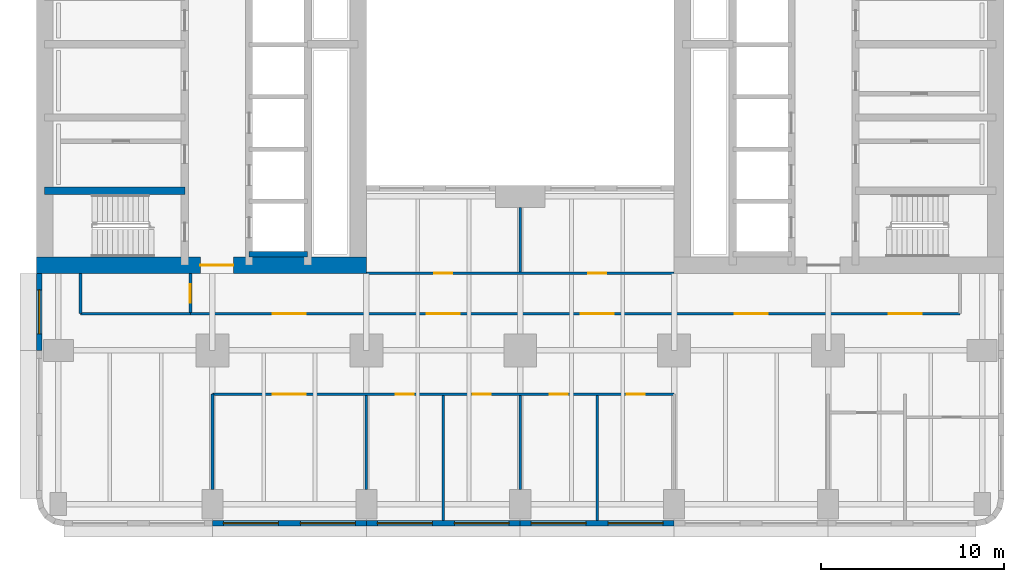
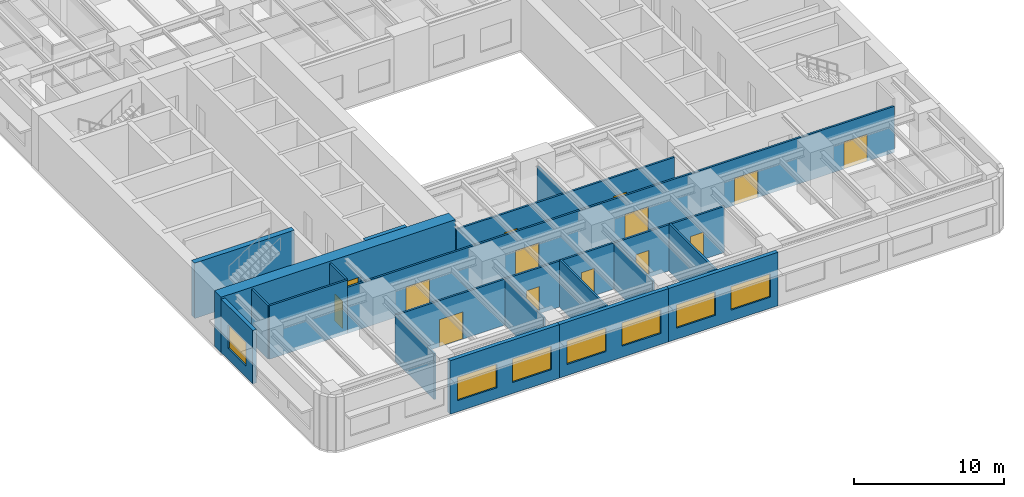
# One storey, part 3 of 14: 19 walls, 14 doors, 7 windows, 21 openings.
"""IFC4 building model written with IfcOpenShell, lengths in metres."""

from ifc_helpers import new_model, si_unit, direction, frame, frame_2d, origin, place, context, subcontext, project, spatial, rectangle, extrude, material, layer, layer_set, type_object, element, fill, save


model = new_model("IFC4")

# Units and contexts
model_context = context("Model", 3, precision=1e-05, world=origin(), true_north=direction((0.0, 1.0)))
body_context = subcontext(model_context, "Body", "Model", "MODEL_VIEW")
ifc_project = project(units=[si_unit("LENGTHUNIT", "METRE"), si_unit("AREAUNIT", "SQUARE_METRE"), si_unit("VOLUMEUNIT", "CUBIC_METRE"), si_unit("PLANEANGLEUNIT", "RADIAN"), si_unit("MASSUNIT", "GRAM", prefix="KILO")], contexts=[model_context])

# Site, building, storey
site_placement = place(None, origin())
site = spatial("IfcSite", under=ifc_project, at=site_placement, CompositionType="ELEMENT")
building_placement = place(site_placement, origin())
building = spatial("IfcBuilding", under=site, at=building_placement, Name="Claustro Exchange Tower", CompositionType="ELEMENT")
storey_placement = place(building_placement, frame((0.0, 0.0, 54.89990234375)))
storey = spatial("IfcBuildingStorey", under=building, at=storey_placement, Name="L12", CompositionType="ELEMENT", Elevation=54.89990234375)

# Wall, openings, doors
ifc_material_1 = material(Name="Gypsum board on steel studs", Category="steel")
ifc_layer_1 = layer(ifc_material_1, 0.14990234375)
ifc_layer_set_1 = layer_set([ifc_layer_1], Name="Gypsum board on steel studs")
wall_type_1 = type_object("IfcWallType", Name="P1 150 plasterboard partition", PredefinedType="PARTITIONING", material=ifc_layer_set_1)
wall_1_placement = place(storey_placement, frame((8.39990234375, 6.0, 0.0), z_axis=(0.0, 0.0, 1.0), x_axis=(1.0, 0.0, 0.0)))
wall_1 = element("IfcWall", 1, at=wall_1_placement, inside=storey, type_object=wall_type_1, Name="Partition P1 L12", PredefinedType="PARTITIONING", context=body_context, shape_type="SweptSolid", body=[
    extrude(rectangle(XDim=25.2001953125, YDim=0.14990234375, at=frame_2d((12.60009765625, 0.0))), origin(), (0.0, 0.0, 1.0), 3.739990234375),
])
opening_1_placement = place(wall_1_placement, frame((3.300048828125, 0.0, 0.0)))
opening_1 = element("IfcOpeningElement", 2, at=opening_1_placement, cuts=wall_1, Name="Opening D2", PredefinedType="OPENING", context=body_context, shape_type="SweptSolid", body=[
    extrude(rectangle(XDim=1.800048828125, YDim=2.199951171875, at=frame_2d((0.89990234375, 1.10009765625))), frame((0.0, 0.0849609375, 0.0), z_axis=(0.0, -1.0, 0.0), x_axis=(1.0, 0.0, 0.0)), (0.0, 0.0, 1.0), 0.169921875),
])
opening_2_placement = place(wall_1_placement, frame((10.0, 0.0, 0.0)))
opening_2 = element("IfcOpeningElement", 3, at=opening_2_placement, cuts=wall_1, Name="Opening D1", PredefinedType="OPENING", context=body_context, shape_type="SweptSolid", body=[
    extrude(rectangle(XDim=1.0, YDim=2.199951171875, at=frame_2d((0.5, 1.10009765625))), frame((0.0, 0.0849609375, 0.0), z_axis=(0.0, -1.0, 0.0), x_axis=(1.0, 0.0, 0.0)), (0.0, 0.0, 1.0), 0.169921875),
])
opening_3_placement = place(wall_1_placement, frame((14.199951171875, 0.0, 0.0)))
opening_3 = element("IfcOpeningElement", 4, at=opening_3_placement, cuts=wall_1, Name="Opening D1", PredefinedType="OPENING", context=body_context, shape_type="SweptSolid", body=[
    extrude(rectangle(XDim=1.0, YDim=2.199951171875, at=frame_2d((0.5, 1.10009765625))), frame((0.0, 0.0849609375, 0.0), z_axis=(0.0, -1.0, 0.0), x_axis=(1.0, 0.0, 0.0)), (0.0, 0.0, 1.0), 0.169921875),
])
opening_4_placement = place(wall_1_placement, frame((18.39990234375, 0.0, 0.0)))
opening_4 = element("IfcOpeningElement", 5, at=opening_4_placement, cuts=wall_1, Name="Opening D1", PredefinedType="OPENING", context=body_context, shape_type="SweptSolid", body=[
    extrude(rectangle(XDim=1.0, YDim=2.199951171875, at=frame_2d((0.5, 1.10009765625))), frame((0.0, 0.0849609375, 0.0), z_axis=(0.0, -1.0, 0.0), x_axis=(1.0, 0.0, 0.0)), (0.0, 0.0, 1.0), 0.169921875),
])
opening_5_placement = place(wall_1_placement, frame((22.60009765625, 0.0, 0.0)))
opening_5 = element("IfcOpeningElement", 6, at=opening_5_placement, cuts=wall_1, Name="Opening D1", PredefinedType="OPENING", context=body_context, shape_type="SweptSolid", body=[
    extrude(rectangle(XDim=1.0, YDim=2.199951171875, at=frame_2d((0.5, 1.10009765625))), frame((0.0, 0.0849609375, 0.0), z_axis=(0.0, -1.0, 0.0), x_axis=(1.0, 0.0, 0.0)), (0.0, 0.0, 1.0), 0.169921875),
])
ifc_material_2 = material(Name="Timber door, oak veneer", Category="wood")
door_type_1 = type_object("IfcDoorType", Name="D1 1000 x 2200 single door", OperationType="SINGLE_SWING_LEFT", PredefinedType="DOOR", material=ifc_material_2)
door_1_placement = place(opening_2_placement, frame((1.0, 0.0, 0.0), z_axis=(0.0, 0.0, 1.0), x_axis=(-1.0, 0.0, 0.0)))
door_1 = element("IfcDoor", 7, at=door_1_placement, inside=storey, type_object=door_type_1, Name="Door D1 L12", OperationType="SINGLE_SWING_RIGHT", OverallHeight=2.199951171875, OverallWidth=1.0, PredefinedType="DOOR", context=body_context, shape_type="SweptSolid", body=[
    extrude(rectangle(XDim=1.0, YDim=2.199951171875, at=frame_2d((0.5, 1.10009765625))), frame((0.0, 0.02490234375, 0.0), z_axis=(0.0, -1.0, 0.0), x_axis=(1.0, 0.0, 0.0)), (0.0, 0.0, 1.0), 0.050048828125),
])
fill(opening_2, door_1)
door_2_placement = place(opening_3_placement, frame((1.0, 0.0, 0.0), z_axis=(0.0, 0.0, 1.0), x_axis=(-1.0, 0.0, 0.0)))
door_2 = element("IfcDoor", 8, at=door_2_placement, inside=storey, type_object=door_type_1, Name="Door D1 L12", OperationType="SINGLE_SWING_LEFT", OverallHeight=2.199951171875, OverallWidth=1.0, PredefinedType="DOOR", context=body_context, shape_type="SweptSolid", body=[
    extrude(rectangle(XDim=1.0, YDim=2.199951171875, at=frame_2d((0.5, 1.10009765625))), frame((0.0, 0.02490234375, 0.0), z_axis=(0.0, -1.0, 0.0), x_axis=(1.0, 0.0, 0.0)), (0.0, 0.0, 1.0), 0.050048828125),
])
fill(opening_3, door_2)
door_3_placement = place(opening_4_placement, frame((1.0, 0.0, 0.0), z_axis=(0.0, 0.0, 1.0), x_axis=(-1.0, 0.0, 0.0)))
door_3 = element("IfcDoor", 9, at=door_3_placement, inside=storey, type_object=door_type_1, Name="Door D1 L12", OperationType="SINGLE_SWING_RIGHT", OverallHeight=2.199951171875, OverallWidth=1.0, PredefinedType="DOOR", context=body_context, shape_type="SweptSolid", body=[
    extrude(rectangle(XDim=1.0, YDim=2.199951171875, at=frame_2d((0.5, 1.10009765625))), frame((0.0, 0.02490234375, 0.0), z_axis=(0.0, -1.0, 0.0), x_axis=(1.0, 0.0, 0.0)), (0.0, 0.0, 1.0), 0.050048828125),
])
fill(opening_4, door_3)
door_4_placement = place(opening_5_placement, frame((1.0, 0.0, 0.0), z_axis=(0.0, 0.0, 1.0), x_axis=(-1.0, 0.0, 0.0)))
door_4 = element("IfcDoor", 10, at=door_4_placement, inside=storey, type_object=door_type_1, Name="Door D1 L12", OperationType="SINGLE_SWING_RIGHT", OverallHeight=2.199951171875, OverallWidth=1.0, PredefinedType="DOOR", context=body_context, shape_type="SweptSolid", body=[
    extrude(rectangle(XDim=1.0, YDim=2.199951171875, at=frame_2d((0.5, 1.10009765625))), frame((0.0, 0.02490234375, 0.0), z_axis=(0.0, -1.0, 0.0), x_axis=(1.0, 0.0, 0.0)), (0.0, 0.0, 1.0), 0.050048828125),
])
fill(opening_5, door_4)
ifc_material_3 = material(Name="Timber door, oak veneer", Category="wood")
door_type_2 = type_object("IfcDoorType", Name="D2 1800 x 2200 double door", OperationType="DOUBLE_DOOR_SINGLE_SWING", PredefinedType="DOOR", material=ifc_material_3)
door_5_placement = place(opening_1_placement, frame((1.800048828125, 0.0, 0.0), z_axis=(0.0, 0.0, 1.0), x_axis=(-1.0, 0.0, 0.0)))
door_5 = element("IfcDoor", 11, at=door_5_placement, inside=storey, type_object=door_type_2, Name="Double door D2 L12", OperationType="DOUBLE_DOOR_SINGLE_SWING", OverallHeight=2.199951171875, OverallWidth=1.800048828125, PredefinedType="DOOR", context=body_context, shape_type="SweptSolid", body=[
    extrude(rectangle(XDim=1.800048828125, YDim=2.199951171875, at=frame_2d((0.89990234375, 1.10009765625))), frame((0.0, 0.02490234375, 0.0), z_axis=(0.0, -1.0, 0.0), x_axis=(1.0, 0.0, 0.0)), (0.0, 0.0, 1.0), 0.050048828125),
])
fill(opening_1, door_5)

# Walls
wall_2_placement = place(storey_placement, frame((8.39990234375, 0.799072265625, 0.0), z_axis=(0.0, 0.0, 1.0), x_axis=(0.0, 1.0, 0.0)))
element("IfcWall", 12, at=wall_2_placement, inside=storey, type_object=wall_type_1, Name="Partition P1 L12", PredefinedType="PARTITIONING", context=body_context, shape_type="SweptSolid", body=[
    extrude(rectangle(XDim=5.200927734375, YDim=0.14990234375, at=frame_2d((2.6005859375, 0.0))), origin(), (0.0, 0.0, 1.0), 3.739990234375),
])
wall_3_placement = place(storey_placement, frame((16.800048828125, 0.799072265625, 0.0), z_axis=(0.0, 0.0, 1.0), x_axis=(0.0, 1.0, 0.0)))
element("IfcWall", 13, at=wall_3_placement, inside=storey, type_object=wall_type_1, Name="Partition P1 L12", PredefinedType="PARTITIONING", context=body_context, shape_type="SweptSolid", body=[
    extrude(rectangle(XDim=5.126953125, YDim=0.14990234375, at=frame_2d((2.5634765625, 0.0))), origin(), (0.0, 0.0, 1.0), 3.739990234375),
])
wall_4_placement = place(storey_placement, frame((21.0, -0.902099609375, 0.0), z_axis=(0.0, 0.0, 1.0), x_axis=(0.0, 1.0, 0.0)))
element("IfcWall", 14, at=wall_4_placement, inside=storey, type_object=wall_type_1, Name="Partition P1 L12", PredefinedType="PARTITIONING", context=body_context, shape_type="SweptSolid", body=[
    extrude(rectangle(XDim=6.828125, YDim=0.14990234375, at=frame_2d((3.4140625, 0.0))), origin(), (0.0, 0.0, 1.0), 3.840087890625),
])
wall_5_placement = place(storey_placement, frame((25.199951171875, 0.799072265625, 0.0), z_axis=(0.0, 0.0, 1.0), x_axis=(0.0, 1.0, 0.0)))
element("IfcWall", 15, at=wall_5_placement, inside=storey, type_object=wall_type_1, Name="Partition P1 L12", PredefinedType="PARTITIONING", context=body_context, shape_type="SweptSolid", body=[
    extrude(rectangle(XDim=5.126953125, YDim=0.14990234375, at=frame_2d((2.5634765625, 0.0))), origin(), (0.0, 0.0, 1.0), 3.739990234375),
])
wall_6_placement = place(storey_placement, frame((29.39990234375, -0.902099609375, 0.0), z_axis=(0.0, 0.0, 1.0), x_axis=(0.0, 1.0, 0.0)))
element("IfcWall", 16, at=wall_6_placement, inside=storey, type_object=wall_type_1, Name="Partition P1 L12", PredefinedType="PARTITIONING", context=body_context, shape_type="SweptSolid", body=[
    extrude(rectangle(XDim=6.828125, YDim=0.14990234375, at=frame_2d((3.4140625, 0.0))), origin(), (0.0, 0.0, 1.0), 3.840087890625),
])

# Wall, openings, doors
wall_7_placement = place(storey_placement, frame((7.197998046875, 10.39990234375, 0.0), z_axis=(0.0, 0.0, 1.0), x_axis=(1.0, 0.0, 0.0)))
wall_7 = element("IfcWall", 17, at=wall_7_placement, inside=storey, type_object=wall_type_1, Name="Partition P1 L12", PredefinedType="PARTITIONING", context=body_context, shape_type="SweptSolid", body=[
    extrude(rectangle(XDim=42.001953125, YDim=0.14990234375, at=frame_2d((21.0009765625, 0.0))), origin(), (0.0, 0.0, 1.0), 3.739990234375),
])
opening_6_placement = place(wall_7_placement, frame((4.501953125, 0.0, 0.0)))
opening_6 = element("IfcOpeningElement", 18, at=opening_6_placement, cuts=wall_7, Name="Opening D2", PredefinedType="OPENING", context=body_context, shape_type="SweptSolid", body=[
    extrude(rectangle(XDim=1.800048828125, YDim=2.199951171875, at=frame_2d((0.89990234375, 1.10009765625))), frame((0.0, 0.0849609375, 0.0), z_axis=(0.0, -1.0, 0.0), x_axis=(1.0, 0.0, 0.0)), (0.0, 0.0, 1.0), 0.169921875),
])
opening_7_placement = place(wall_7_placement, frame((12.902099609375, 0.0, 0.0)))
opening_7 = element("IfcOpeningElement", 19, at=opening_7_placement, cuts=wall_7, Name="Opening D2", PredefinedType="OPENING", context=body_context, shape_type="SweptSolid", body=[
    extrude(rectangle(XDim=1.800048828125, YDim=2.199951171875, at=frame_2d((0.89990234375, 1.10009765625))), frame((0.0, 0.0849609375, 0.0), z_axis=(0.0, -1.0, 0.0), x_axis=(1.0, 0.0, 0.0)), (0.0, 0.0, 1.0), 0.169921875),
])
opening_8_placement = place(wall_7_placement, frame((21.302001953125, 0.0, 0.0)))
opening_8 = element("IfcOpeningElement", 20, at=opening_8_placement, cuts=wall_7, Name="Opening D2", PredefinedType="OPENING", context=body_context, shape_type="SweptSolid", body=[
    extrude(rectangle(XDim=1.800048828125, YDim=2.199951171875, at=frame_2d((0.89990234375, 1.10009765625))), frame((0.0, 0.0849609375, 0.0), z_axis=(0.0, -1.0, 0.0), x_axis=(1.0, 0.0, 0.0)), (0.0, 0.0, 1.0), 0.169921875),
])
opening_9_placement = place(wall_7_placement, frame((29.701904296875, 0.0, 0.0)))
opening_9 = element("IfcOpeningElement", 21, at=opening_9_placement, cuts=wall_7, Name="Opening D2", PredefinedType="OPENING", context=body_context, shape_type="SweptSolid", body=[
    extrude(rectangle(XDim=1.800048828125, YDim=2.199951171875, at=frame_2d((0.89990234375, 1.10009765625))), frame((0.0, 0.0849609375, 0.0), z_axis=(0.0, -1.0, 0.0), x_axis=(1.0, 0.0, 0.0)), (0.0, 0.0, 1.0), 0.169921875),
])
opening_10_placement = place(wall_7_placement, frame((38.10205078125, 0.0, 0.0)))
opening_10 = element("IfcOpeningElement", 22, at=opening_10_placement, cuts=wall_7, Name="Opening D2", PredefinedType="OPENING", context=body_context, shape_type="SweptSolid", body=[
    extrude(rectangle(XDim=1.800048828125, YDim=2.199951171875, at=frame_2d((0.89990234375, 1.10009765625))), frame((0.0, 0.0849609375, 0.0), z_axis=(0.0, -1.0, 0.0), x_axis=(1.0, 0.0, 0.0)), (0.0, 0.0, 1.0), 0.169921875),
])
door_6_placement = place(opening_6_placement, frame((1.800048828125, 0.0, 0.0), z_axis=(0.0, 0.0, 1.0), x_axis=(-1.0, 0.0, 0.0)))
door_6 = element("IfcDoor", 23, at=door_6_placement, inside=storey, type_object=door_type_2, Name="Double door D2 L12", OperationType="DOUBLE_DOOR_SINGLE_SWING", OverallHeight=2.199951171875, OverallWidth=1.800048828125, PredefinedType="DOOR", context=body_context, shape_type="SweptSolid", body=[
    extrude(rectangle(XDim=1.800048828125, YDim=2.199951171875, at=frame_2d((0.89990234375, 1.10009765625))), frame((0.0, 0.02490234375, 0.0), z_axis=(0.0, -1.0, 0.0), x_axis=(1.0, 0.0, 0.0)), (0.0, 0.0, 1.0), 0.050048828125),
])
fill(opening_6, door_6)
door_7_placement = place(opening_7_placement, frame((1.800048828125, 0.0, 0.0), z_axis=(0.0, 0.0, 1.0), x_axis=(-1.0, 0.0, 0.0)))
door_7 = element("IfcDoor", 24, at=door_7_placement, inside=storey, type_object=door_type_2, Name="Double door D2 L12", OperationType="DOUBLE_DOOR_SINGLE_SWING", OverallHeight=2.199951171875, OverallWidth=1.800048828125, PredefinedType="DOOR", context=body_context, shape_type="SweptSolid", body=[
    extrude(rectangle(XDim=1.800048828125, YDim=2.199951171875, at=frame_2d((0.89990234375, 1.10009765625))), frame((0.0, 0.02490234375, 0.0), z_axis=(0.0, -1.0, 0.0), x_axis=(1.0, 0.0, 0.0)), (0.0, 0.0, 1.0), 0.050048828125),
])
fill(opening_7, door_7)
door_8_placement = place(opening_8_placement, frame((1.800048828125, 0.0, 0.0), z_axis=(0.0, 0.0, 1.0), x_axis=(-1.0, 0.0, 0.0)))
door_8 = element("IfcDoor", 25, at=door_8_placement, inside=storey, type_object=door_type_2, Name="Double door D2 L12", OperationType="DOUBLE_DOOR_SINGLE_SWING", OverallHeight=2.199951171875, OverallWidth=1.800048828125, PredefinedType="DOOR", context=body_context, shape_type="SweptSolid", body=[
    extrude(rectangle(XDim=1.800048828125, YDim=2.199951171875, at=frame_2d((0.89990234375, 1.10009765625))), frame((0.0, 0.02490234375, 0.0), z_axis=(0.0, -1.0, 0.0), x_axis=(1.0, 0.0, 0.0)), (0.0, 0.0, 1.0), 0.050048828125),
])
fill(opening_8, door_8)
door_9_placement = place(opening_9_placement, frame((1.800048828125, 0.0, 0.0), z_axis=(0.0, 0.0, 1.0), x_axis=(-1.0, 0.0, 0.0)))
door_9 = element("IfcDoor", 26, at=door_9_placement, inside=storey, type_object=door_type_2, Name="Double door D2 L12", OperationType="DOUBLE_DOOR_SINGLE_SWING", OverallHeight=2.199951171875, OverallWidth=1.800048828125, PredefinedType="DOOR", context=body_context, shape_type="SweptSolid", body=[
    extrude(rectangle(XDim=1.800048828125, YDim=2.199951171875, at=frame_2d((0.89990234375, 1.10009765625))), frame((0.0, 0.02490234375, 0.0), z_axis=(0.0, -1.0, 0.0), x_axis=(1.0, 0.0, 0.0)), (0.0, 0.0, 1.0), 0.050048828125),
])
fill(opening_9, door_9)
door_10_placement = place(opening_10_placement, frame((1.800048828125, 0.0, 0.0), z_axis=(0.0, 0.0, 1.0), x_axis=(-1.0, 0.0, 0.0)))
door_10 = element("IfcDoor", 27, at=door_10_placement, inside=storey, type_object=door_type_2, Name="Double door D2 L12", OperationType="DOUBLE_DOOR_SINGLE_SWING", OverallHeight=2.199951171875, OverallWidth=1.800048828125, PredefinedType="DOOR", context=body_context, shape_type="SweptSolid", body=[
    extrude(rectangle(XDim=1.800048828125, YDim=2.199951171875, at=frame_2d((0.89990234375, 1.10009765625))), frame((0.0, 0.02490234375, 0.0), z_axis=(0.0, -1.0, 0.0), x_axis=(1.0, 0.0, 0.0)), (0.0, 0.0, 1.0), 0.050048828125),
])
fill(opening_10, door_10)

# Wall, opening, door
wall_8_placement = place(storey_placement, frame((7.199951171875, 10.47412109375, 0.0), z_axis=(0.0, 0.0, 1.0), x_axis=(0.0, 1.0, 0.0)))
wall_8 = element("IfcWall", 28, at=wall_8_placement, inside=storey, type_object=wall_type_1, Name="Partition P1 L12", PredefinedType="PARTITIONING", context=body_context, shape_type="SweptSolid", body=[
    extrude(rectangle(XDim=2.1279296875, YDim=0.14990234375, at=frame_2d((1.06396484375, 0.0))), origin(), (0.0, 0.0, 1.0), 4.340087890625),
])
opening_11_placement = place(wall_8_placement, frame((0.52587890625, 0.0, 0.0)))
opening_11 = element("IfcOpeningElement", 29, at=opening_11_placement, cuts=wall_8, Name="Opening D1", PredefinedType="OPENING", context=body_context, shape_type="SweptSolid", body=[
    extrude(rectangle(XDim=1.0, YDim=2.199951171875, at=frame_2d((0.5, 1.10009765625))), frame((0.0, 0.0849609375, 0.0), z_axis=(0.0, -1.0, 0.0), x_axis=(1.0, 0.0, 0.0)), (0.0, 0.0, 1.0), 0.169921875),
])
door_11_placement = place(opening_11_placement, origin())
door_11 = element("IfcDoor", 30, at=door_11_placement, inside=storey, type_object=door_type_1, Name="Door D1 L12", OperationType="SINGLE_SWING_RIGHT", OverallHeight=2.199951171875, OverallWidth=1.0, PredefinedType="DOOR", context=body_context, shape_type="SweptSolid", body=[
    extrude(rectangle(XDim=1.0, YDim=2.199951171875, at=frame_2d((0.5, 1.10009765625))), frame((0.0, 0.02490234375, 0.0), z_axis=(0.0, -1.0, 0.0), x_axis=(1.0, 0.0, 0.0)), (0.0, 0.0, 1.0), 0.050048828125),
])
fill(opening_11, door_11)

# Walls
wall_9_placement = place(storey_placement, frame((1.199951171875, 10.39990234375, 0.0), z_axis=(0.0, 0.0, 1.0), x_axis=(1.0, 0.0, 0.0)))
element("IfcWall", 31, at=wall_9_placement, inside=storey, type_object=wall_type_1, Name="Partition P1 L12", PredefinedType="PARTITIONING", context=body_context, shape_type="SweptSolid", body=[
    extrude(rectangle(XDim=6.001953125, YDim=0.14990234375, at=frame_2d((3.0009765625, 0.0))), origin(), (0.0, 0.0, 1.0), 4.340087890625),
])
wall_10_placement = place(storey_placement, frame((1.199951171875, 10.39990234375, 0.0), z_axis=(0.0, 0.0, 1.0), x_axis=(0.0, 1.0, 0.0)))
element("IfcWall", 32, at=wall_10_placement, inside=storey, type_object=wall_type_1, Name="Partition P1 L12", PredefinedType="PARTITIONING", context=body_context, shape_type="SweptSolid", body=[
    extrude(rectangle(XDim=2.2021484375, YDim=0.14990234375, at=frame_2d((1.10107421875, 0.0))), origin(), (0.0, 0.0, 1.0), 4.340087890625),
])
wall_11_placement = place(storey_placement, frame((25.199951171875, 12.674072265625, 0.0), z_axis=(0.0, 0.0, 1.0), x_axis=(0.0, 1.0, 0.0)))
element("IfcWall", 33, at=wall_11_placement, inside=storey, type_object=wall_type_1, Name="Partition P1 L12", PredefinedType="PARTITIONING", context=body_context, shape_type="SweptSolid", body=[
    extrude(rectangle(XDim=3.52685546875, YDim=0.14990234375, at=frame_2d((1.763427734375, 0.0))), origin(), (0.0, 0.0, 1.0), 3.739990234375),
])

# Wall, openings, doors
wall_12_placement = place(storey_placement, frame((16.820068359375, 12.60009765625, 0.0), z_axis=(0.0, 0.0, 1.0), x_axis=(1.0, 0.0, 0.0)))
wall_12 = element("IfcWall", 34, at=wall_12_placement, inside=storey, type_object=wall_type_1, Name="Partition P1 L12", PredefinedType="PARTITIONING", context=body_context, shape_type="SweptSolid", body=[
    extrude(rectangle(XDim=16.760009765625, YDim=0.14990234375, at=frame_2d((8.3798828125, 0.0))), origin(), (0.0, 0.0, 1.0), 3.739990234375),
])
opening_12_placement = place(wall_12_placement, frame((3.679931640625, 0.0, 0.0)))
opening_12 = element("IfcOpeningElement", 35, at=opening_12_placement, cuts=wall_12, Name="Opening D1", PredefinedType="OPENING", context=body_context, shape_type="SweptSolid", body=[
    extrude(rectangle(XDim=1.0, YDim=2.199951171875, at=frame_2d((0.5, 1.10009765625))), frame((0.0, 0.0849609375, 0.0), z_axis=(0.0, -1.0, 0.0), x_axis=(1.0, 0.0, 0.0)), (0.0, 0.0, 1.0), 0.169921875),
])
opening_13_placement = place(wall_12_placement, frame((12.080078125, 0.0, 0.0)))
opening_13 = element("IfcOpeningElement", 36, at=opening_13_placement, cuts=wall_12, Name="Opening D1", PredefinedType="OPENING", context=body_context, shape_type="SweptSolid", body=[
    extrude(rectangle(XDim=1.0, YDim=2.199951171875, at=frame_2d((0.5, 1.10009765625))), frame((0.0, 0.0849609375, 0.0), z_axis=(0.0, -1.0, 0.0), x_axis=(1.0, 0.0, 0.0)), (0.0, 0.0, 1.0), 0.169921875),
])
door_12_placement = place(opening_12_placement, origin())
door_12 = element("IfcDoor", 37, at=door_12_placement, inside=storey, type_object=door_type_1, Name="Door D1 L12", OperationType="SINGLE_SWING_RIGHT", OverallHeight=2.199951171875, OverallWidth=1.0, PredefinedType="DOOR", context=body_context, shape_type="SweptSolid", body=[
    extrude(rectangle(XDim=1.0, YDim=2.199951171875, at=frame_2d((0.5, 1.10009765625))), frame((0.0, 0.02490234375, 0.0), z_axis=(0.0, -1.0, 0.0), x_axis=(1.0, 0.0, 0.0)), (0.0, 0.0, 1.0), 0.050048828125),
])
fill(opening_12, door_12)
door_13_placement = place(opening_13_placement, origin())
door_13 = element("IfcDoor", 38, at=door_13_placement, inside=storey, type_object=door_type_1, Name="Door D1 L12", OperationType="SINGLE_SWING_LEFT", OverallHeight=2.199951171875, OverallWidth=1.0, PredefinedType="DOOR", context=body_context, shape_type="SweptSolid", body=[
    extrude(rectangle(XDim=1.0, YDim=2.199951171875, at=frame_2d((0.5, 1.10009765625))), frame((0.0, 0.02490234375, 0.0), z_axis=(0.0, -1.0, 0.0), x_axis=(1.0, 0.0, 0.0)), (0.0, 0.0, 1.0), 0.050048828125),
])
fill(opening_13, door_13)

# Wall, openings, windows
ifc_material_4 = material(Name="Concrete HA-40 (C40/50), precast, white cement, acid-etched", Category="concrete")
ifc_layer_2 = layer(ifc_material_4, 0.300048828125)
ifc_layer_set_2 = layer_set([ifc_layer_2], Name="Concrete HA-40 (C40/50), precast, white cement, acid-etched")
wall_type_2 = type_object("IfcWallType", Name="PC1 300 precast concrete pier panel", PredefinedType="SOLIDWALL", material=ifc_layer_set_2)
wall_13_placement = place(storey_placement, frame((33.60009765625, -1.050048828125, 0.0), z_axis=(0.0, 0.0, 1.0), x_axis=(-1.0, 0.0, 0.0)))
wall_13 = element("IfcWall", 39, at=wall_13_placement, inside=storey, type_object=wall_type_2, Name="Precast pier panel PC1 L12", PredefinedType="SOLIDWALL", context=body_context, shape_type="SweptSolid", body=[
    extrude(rectangle(XDim=8.400146484375, YDim=0.300048828125, at=frame_2d((4.2001953125, 0.0))), origin(), (0.0, 0.0, 1.0), 4.340087890625),
])
opening_14_placement = place(wall_13_placement, frame((0.60009765625, 0.0, 0.89990234375)))
opening_14 = element("IfcOpeningElement", 40, at=opening_14_placement, cuts=wall_13, Name="Opening W1", PredefinedType="OPENING", context=body_context, shape_type="SweptSolid", body=[
    extrude(rectangle(XDim=3.0, YDim=1.89990234375, at=frame_2d((1.5, 0.949951171875))), frame((0.0, 0.159912109375, 0.0), z_axis=(0.0, -1.0, 0.0), x_axis=(1.0, 0.0, 0.0)), (0.0, 0.0, 1.0), 0.320068359375),
])
opening_15_placement = place(wall_13_placement, frame((4.800048828125, 0.0, 0.89990234375)))
opening_15 = element("IfcOpeningElement", 41, at=opening_15_placement, cuts=wall_13, Name="Opening W1", PredefinedType="OPENING", context=body_context, shape_type="SweptSolid", body=[
    extrude(rectangle(XDim=3.0, YDim=1.89990234375, at=frame_2d((1.5, 0.949951171875))), frame((0.0, 0.159912109375, 0.0), z_axis=(0.0, -1.0, 0.0), x_axis=(1.0, 0.0, 0.0)), (0.0, 0.0, 1.0), 0.320068359375),
])
ifc_material_5 = material(Name="Aluminium frame, clear double glazing", Category="aluminium")
window_type_1 = type_object("IfcWindowType", Name="W1 3000 x 1900 window", PartitioningType="SINGLE_PANEL", PredefinedType="WINDOW", material=ifc_material_5)
window_1_placement = place(opening_14_placement, origin())
window_1 = element("IfcWindow", 42, at=window_1_placement, inside=storey, type_object=window_type_1, Name="Window W1 L12", OverallHeight=1.89990234375, OverallWidth=3.0, PartitioningType="SINGLE_PANEL", PredefinedType="WINDOW", context=body_context, shape_type="SweptSolid", body=[
    extrude(rectangle(XDim=3.0, YDim=1.89990234375, at=frame_2d((1.5, 0.949951171875))), frame((0.0, 0.030029296875, 0.0), z_axis=(0.0, -1.0, 0.0), x_axis=(1.0, 0.0, 0.0)), (0.0, 0.0, 1.0), 0.06005859375),
])
fill(opening_14, window_1)
window_2_placement = place(opening_15_placement, origin())
window_2 = element("IfcWindow", 43, at=window_2_placement, inside=storey, type_object=window_type_1, Name="Window W1 L12", OverallHeight=1.89990234375, OverallWidth=3.0, PartitioningType="SINGLE_PANEL", PredefinedType="WINDOW", context=body_context, shape_type="SweptSolid", body=[
    extrude(rectangle(XDim=3.0, YDim=1.89990234375, at=frame_2d((1.5, 0.949951171875))), frame((0.0, 0.030029296875, 0.0), z_axis=(0.0, -1.0, 0.0), x_axis=(1.0, 0.0, 0.0)), (0.0, 0.0, 1.0), 0.06005859375),
])
fill(opening_15, window_2)

wall_14_placement = place(storey_placement, frame((25.199951171875, -1.050048828125, 0.0), z_axis=(0.0, 0.0, 1.0), x_axis=(-1.0, 0.0, 0.0)))
wall_14 = element("IfcWall", 44, at=wall_14_placement, inside=storey, type_object=wall_type_2, Name="Precast pier panel PC1 L12", PredefinedType="SOLIDWALL", context=body_context, shape_type="SweptSolid", body=[
    extrude(rectangle(XDim=8.39990234375, YDim=0.300048828125, at=frame_2d((4.199951171875, 0.0))), origin(), (0.0, 0.0, 1.0), 4.340087890625),
])
opening_16_placement = place(wall_14_placement, frame((0.60009765625, 0.0, 0.89990234375)))
opening_16 = element("IfcOpeningElement", 45, at=opening_16_placement, cuts=wall_14, Name="Opening W1", PredefinedType="OPENING", context=body_context, shape_type="SweptSolid", body=[
    extrude(rectangle(XDim=3.0, YDim=1.89990234375, at=frame_2d((1.5, 0.949951171875))), frame((0.0, 0.159912109375, 0.0), z_axis=(0.0, -1.0, 0.0), x_axis=(1.0, 0.0, 0.0)), (0.0, 0.0, 1.0), 0.320068359375),
])
opening_17_placement = place(wall_14_placement, frame((4.800048828125, 0.0, 0.89990234375)))
opening_17 = element("IfcOpeningElement", 46, at=opening_17_placement, cuts=wall_14, Name="Opening W1", PredefinedType="OPENING", context=body_context, shape_type="SweptSolid", body=[
    extrude(rectangle(XDim=3.0, YDim=1.89990234375, at=frame_2d((1.5, 0.949951171875))), frame((0.0, 0.159912109375, 0.0), z_axis=(0.0, -1.0, 0.0), x_axis=(1.0, 0.0, 0.0)), (0.0, 0.0, 1.0), 0.320068359375),
])
window_3_placement = place(opening_16_placement, origin())
window_3 = element("IfcWindow", 47, at=window_3_placement, inside=storey, type_object=window_type_1, Name="Window W1 L12", OverallHeight=1.89990234375, OverallWidth=3.0, PartitioningType="SINGLE_PANEL", PredefinedType="WINDOW", context=body_context, shape_type="SweptSolid", body=[
    extrude(rectangle(XDim=3.0, YDim=1.89990234375, at=frame_2d((1.5, 0.949951171875))), frame((0.0, 0.030029296875, 0.0), z_axis=(0.0, -1.0, 0.0), x_axis=(1.0, 0.0, 0.0)), (0.0, 0.0, 1.0), 0.06005859375),
])
fill(opening_16, window_3)
window_4_placement = place(opening_17_placement, origin())
window_4 = element("IfcWindow", 48, at=window_4_placement, inside=storey, type_object=window_type_1, Name="Window W1 L12", OverallHeight=1.89990234375, OverallWidth=3.0, PartitioningType="SINGLE_PANEL", PredefinedType="WINDOW", context=body_context, shape_type="SweptSolid", body=[
    extrude(rectangle(XDim=3.0, YDim=1.89990234375, at=frame_2d((1.5, 0.949951171875))), frame((0.0, 0.030029296875, 0.0), z_axis=(0.0, -1.0, 0.0), x_axis=(1.0, 0.0, 0.0)), (0.0, 0.0, 1.0), 0.06005859375),
])
fill(opening_17, window_4)

wall_15_placement = place(storey_placement, frame((16.800048828125, -1.050048828125, 0.0), z_axis=(0.0, 0.0, 1.0), x_axis=(-1.0, 0.0, 0.0)))
wall_15 = element("IfcWall", 49, at=wall_15_placement, inside=storey, type_object=wall_type_2, Name="Precast pier panel PC1 L12", PredefinedType="SOLIDWALL", context=body_context, shape_type="SweptSolid", body=[
    extrude(rectangle(XDim=8.400146484375, YDim=0.300048828125, at=frame_2d((4.2001953125, 0.0))), origin(), (0.0, 0.0, 1.0), 4.340087890625),
])
opening_18_placement = place(wall_15_placement, frame((0.60009765625, 0.0, 0.89990234375)))
opening_18 = element("IfcOpeningElement", 50, at=opening_18_placement, cuts=wall_15, Name="Opening W1", PredefinedType="OPENING", context=body_context, shape_type="SweptSolid", body=[
    extrude(rectangle(XDim=3.0, YDim=1.89990234375, at=frame_2d((1.5, 0.949951171875))), frame((0.0, 0.159912109375, 0.0), z_axis=(0.0, -1.0, 0.0), x_axis=(1.0, 0.0, 0.0)), (0.0, 0.0, 1.0), 0.320068359375),
])
opening_19_placement = place(wall_15_placement, frame((4.800048828125, 0.0, 0.89990234375)))
opening_19 = element("IfcOpeningElement", 51, at=opening_19_placement, cuts=wall_15, Name="Opening W1", PredefinedType="OPENING", context=body_context, shape_type="SweptSolid", body=[
    extrude(rectangle(XDim=3.0, YDim=1.89990234375, at=frame_2d((1.5, 0.949951171875))), frame((0.0, 0.159912109375, 0.0), z_axis=(0.0, -1.0, 0.0), x_axis=(1.0, 0.0, 0.0)), (0.0, 0.0, 1.0), 0.320068359375),
])
window_5_placement = place(opening_18_placement, origin())
window_5 = element("IfcWindow", 52, at=window_5_placement, inside=storey, type_object=window_type_1, Name="Window W1 L12", OverallHeight=1.89990234375, OverallWidth=3.0, PartitioningType="SINGLE_PANEL", PredefinedType="WINDOW", context=body_context, shape_type="SweptSolid", body=[
    extrude(rectangle(XDim=3.0, YDim=1.89990234375, at=frame_2d((1.5, 0.949951171875))), frame((0.0, 0.030029296875, 0.0), z_axis=(0.0, -1.0, 0.0), x_axis=(1.0, 0.0, 0.0)), (0.0, 0.0, 1.0), 0.06005859375),
])
fill(opening_18, window_5)
window_6_placement = place(opening_19_placement, origin())
window_6 = element("IfcWindow", 53, at=window_6_placement, inside=storey, type_object=window_type_1, Name="Window W1 L12", OverallHeight=1.89990234375, OverallWidth=3.0, PartitioningType="SINGLE_PANEL", PredefinedType="WINDOW", context=body_context, shape_type="SweptSolid", body=[
    extrude(rectangle(XDim=3.0, YDim=1.89990234375, at=frame_2d((1.5, 0.949951171875))), frame((0.0, 0.030029296875, 0.0), z_axis=(0.0, -1.0, 0.0), x_axis=(1.0, 0.0, 0.0)), (0.0, 0.0, 1.0), 0.06005859375),
])
fill(opening_19, window_6)

# Wall, opening, window
wall_16_placement = place(storey_placement, frame((-1.050048828125, 8.39990234375, 0.0), z_axis=(0.0, 0.0, 1.0), x_axis=(0.0, 1.0, 0.0)))
wall_16 = element("IfcWall", 54, at=wall_16_placement, inside=storey, type_object=wall_type_2, Name="Precast pier panel PC1 L12", PredefinedType="SOLIDWALL", context=body_context, shape_type="SweptSolid", body=[
    extrude(rectangle(XDim=4.2001953125, YDim=0.300048828125, at=frame_2d((2.10009765625, 0.0))), origin(), (0.0, 0.0, 1.0), 4.340087890625),
])
opening_20_placement = place(wall_16_placement, frame((0.89990234375, 0.0, 0.89990234375)))
opening_20 = element("IfcOpeningElement", 55, at=opening_20_placement, cuts=wall_16, Name="Opening W2", PredefinedType="OPENING", context=body_context, shape_type="SweptSolid", body=[
    extrude(rectangle(XDim=2.39990234375, YDim=1.89990234375, at=frame_2d((1.199951171875, 0.949951171875))), frame((0.0, 0.159912109375, 0.0), z_axis=(0.0, -1.0, 0.0), x_axis=(1.0, 0.0, 0.0)), (0.0, 0.0, 1.0), 0.320068359375),
])
ifc_material_6 = material(Name="Aluminium frame, clear double glazing", Category="aluminium")
window_type_2 = type_object("IfcWindowType", Name="W2 2400 x 1900 window", PartitioningType="SINGLE_PANEL", PredefinedType="WINDOW", material=ifc_material_6)
window_7_placement = place(opening_20_placement, origin())
window_7 = element("IfcWindow", 56, at=window_7_placement, inside=storey, type_object=window_type_2, Name="Window W2 L12", OverallHeight=1.89990234375, OverallWidth=2.39990234375, PartitioningType="SINGLE_PANEL", PredefinedType="WINDOW", context=body_context, shape_type="SweptSolid", body=[
    extrude(rectangle(XDim=2.39990234375, YDim=1.89990234375, at=frame_2d((1.199951171875, 0.949951171875))), frame((0.0, 0.030029296875, 0.0), z_axis=(0.0, -1.0, 0.0), x_axis=(1.0, 0.0, 0.0)), (0.0, 0.0, 1.0), 0.06005859375),
])
fill(opening_20, window_7)

# Wall, opening, door
ifc_material_7 = material(Name="Concrete HA-70 (C70/85)", Category="concrete")
ifc_layer_3 = layer(ifc_material_7, 0.89990234375)
ifc_layer_set_3 = layer_set([ifc_layer_3], Name="Concrete HA-70 (C70/85)")
wall_type_3 = type_object("IfcWallType", Name="SW1 900 core shear wall", PredefinedType="SHEAR", material=ifc_layer_set_3)
wall_17_placement = place(storey_placement, frame((-1.199951171875, 13.050048828125, 0.0), z_axis=(0.0, 0.0, 1.0), x_axis=(1.0, 0.0, 0.0)))
wall_17 = element("IfcWall", 57, at=wall_17_placement, inside=storey, type_object=wall_type_3, Name="Core wall SW1 W core S face L12", PredefinedType="SHEAR", context=body_context, shape_type="SweptSolid", body=[
    extrude(rectangle(XDim=18.0, YDim=0.89990234375, at=frame_2d((9.0, 0.0))), origin(), (0.0, 0.0, 1.0), 4.5),
])
opening_21_placement = place(wall_17_placement, frame((8.949951171875, 0.0, 0.0)))
opening_21 = element("IfcOpeningElement", 58, at=opening_21_placement, cuts=wall_17, Name="Opening D3", PredefinedType="OPENING", context=body_context, shape_type="SweptSolid", body=[
    extrude(rectangle(XDim=1.800048828125, YDim=2.39990234375, at=frame_2d((0.89990234375, 1.199951171875))), frame((0.0, 0.4599609375, 0.0), z_axis=(0.0, -1.0, 0.0), x_axis=(1.0, 0.0, 0.0)), (0.0, 0.0, 1.0), 0.919921875),
])
ifc_material_8 = material(Name="Steel fire door, painted", Category="steel")
door_type_3 = type_object("IfcDoorType", Name="D3 1800 x 2400 fire-rated lobby double door", OperationType="DOUBLE_DOOR_SINGLE_SWING", PredefinedType="DOOR", material=ifc_material_8)
door_14_placement = place(opening_21_placement, origin())
door_14 = element("IfcDoor", 59, at=door_14_placement, inside=storey, type_object=door_type_3, Name="Lift lobby door D3 L12", OperationType="DOUBLE_DOOR_SINGLE_SWING", OverallHeight=2.39990234375, OverallWidth=1.800048828125, PredefinedType="DOOR", context=body_context, shape_type="SweptSolid", body=[
    extrude(rectangle(XDim=1.800048828125, YDim=2.39990234375, at=frame_2d((0.89990234375, 1.199951171875))), frame((0.0, 0.02490234375, 0.0), z_axis=(0.0, -1.0, 0.0), x_axis=(1.0, 0.0, 0.0)), (0.0, 0.0, 1.0), 0.050048828125),
])
fill(opening_21, door_14)

# Walls
ifc_material_9 = material(Name="Concrete HA-50 (C50/60)", Category="concrete")
ifc_layer_4 = layer(ifc_material_9, 0.39990234375)
ifc_layer_set_4 = layer_set([ifc_layer_4], Name="Concrete HA-50 (C50/60)")
wall_type_4 = type_object("IfcWallType", Name="SW4 400 internal core wall", PredefinedType="SHEAR", material=ifc_layer_set_4)
wall_18_placement = place(storey_placement, frame((-0.75, 17.10009765625, 0.0), z_axis=(0.0, 0.0, 1.0), x_axis=(1.0, 0.0, 0.0)))
element("IfcWall", 60, at=wall_18_placement, inside=storey, type_object=wall_type_4, Name="Internal core wall SW4 W core L12", PredefinedType="SHEAR", context=body_context, shape_type="SweptSolid", body=[
    extrude(rectangle(XDim=7.64990234375, YDim=0.39990234375, at=frame_2d((3.824951171875, 0.0))), origin(), (0.0, 0.0, 1.0), 4.5),
])
ifc_material_10 = material(Name="Concrete HA-50 (C50/60)", Category="concrete")
ifc_layer_5 = layer(ifc_material_10, 0.300048828125)
ifc_layer_set_5 = layer_set([ifc_layer_5], Name="Concrete HA-50 (C50/60)")
wall_type_5 = type_object("IfcWallType", Name="SW6A 300 lift shaft end wall", PredefinedType="SHEAR", material=ifc_layer_set_5)
wall_19_placement = place(storey_placement, frame((10.39990234375, 13.64990234375, 0.0), z_axis=(0.0, 0.0, 1.0), x_axis=(1.0, 0.0, 0.0)))
element("IfcWall", 61, at=wall_19_placement, inside=storey, type_object=wall_type_5, Name="Lift shaft wall W core L12", PredefinedType="SHEAR", context=body_context, shape_type="SweptSolid", body=[
    extrude(rectangle(XDim=3.2001953125, YDim=0.300048828125, at=frame_2d((1.60009765625, 0.0))), origin(), (0.0, 0.0, 1.0), 4.5),
])

save(model, "model.ifc")
